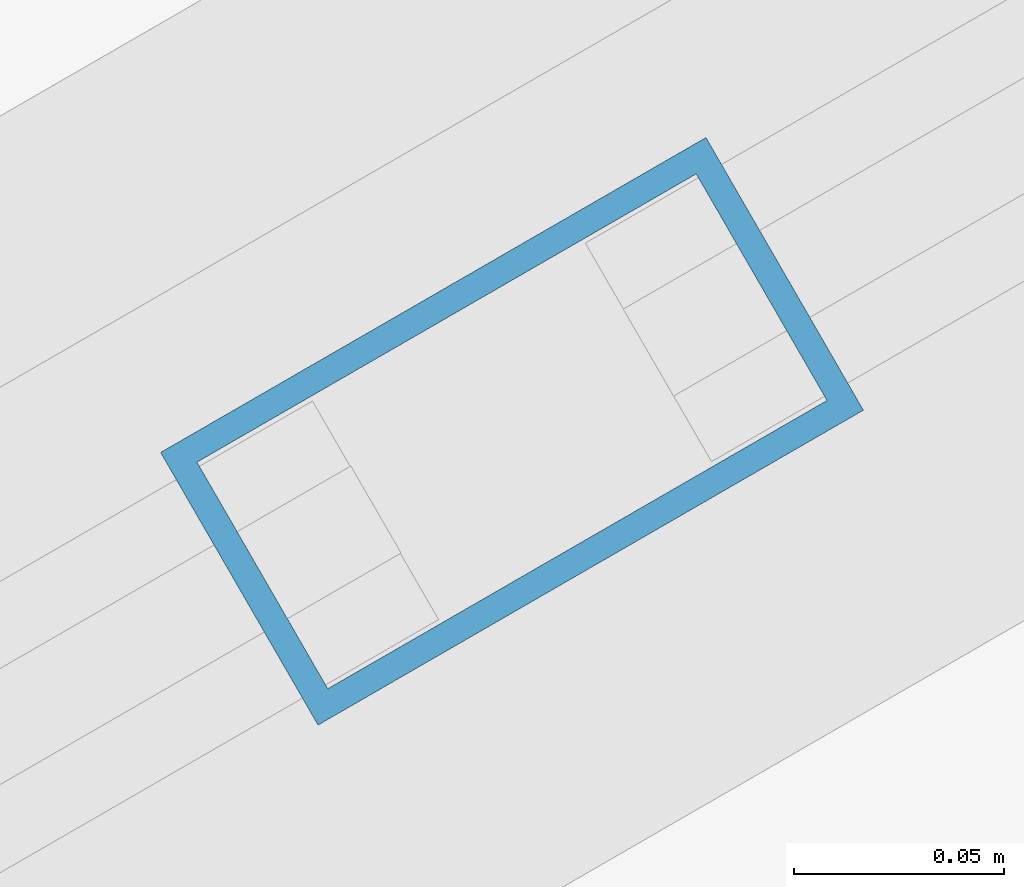
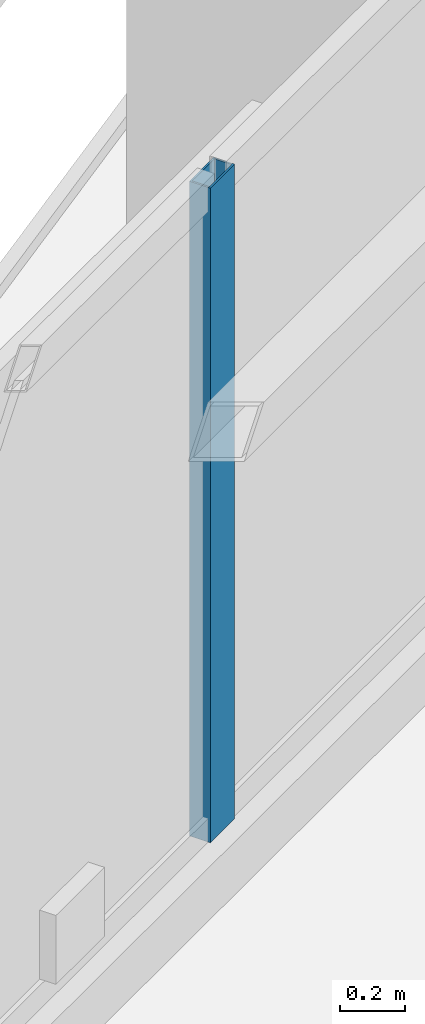
# One storey, part 11 of 22: 1 member, 1 element without a shape of its own.
"""IFC4 building model written with IfcOpenShell, lengths in metres."""

from ifc_helpers import new_model, si_unit, direction, frame, origin, origin_2d, place, context, subcontext, project, spatial, hollow_rectangle, extrude, material, layer, layer_set, material_profile, profile_set, type_object, element, aggregate, save


model = new_model("IFC4")

# Units and contexts
model_context = context("Model", 3, precision=1e-05, world=origin(), true_north=direction((0.0, 1.0)))
body_context = subcontext(model_context, "Body", "Model", "MODEL_VIEW")
ifc_project = project(units=[si_unit("LENGTHUNIT", "METRE"), si_unit("AREAUNIT", "SQUARE_METRE"), si_unit("VOLUMEUNIT", "CUBIC_METRE"), si_unit("PLANEANGLEUNIT", "RADIAN"), si_unit("MASSUNIT", "GRAM", prefix="KILO")], contexts=[model_context])

# Site, building, storey
site_placement = place(None, origin())
site = spatial("IfcSite", under=ifc_project, at=site_placement, CompositionType="ELEMENT")
building_placement = place(site_placement, origin())
building = spatial("IfcBuilding", under=site, at=building_placement, Name="Mersakhor Tower and Convention Hall", CompositionType="ELEMENT")
storey_placement = place(building_placement, frame((0.0, 0.0, 86.699951171875)))
storey = spatial("IfcBuildingStorey", under=building, at=storey_placement, Name="L23", CompositionType="ELEMENT", Elevation=86.699951171875)

# Curtain wall, member
ifc_material_1 = material(Name="Dark solar low-E aluminium curtain wall", Category="aluminium")
ifc_layer = layer(ifc_material_1, 0.159912109375)
ifc_layer_set = layer_set([ifc_layer], Name="Dark solar low-E aluminium curtain wall")
curtain_wall_type = type_object("IfcCurtainWallType", Name="CW-SYS-01", PredefinedType="USERDEFINED", material=ifc_layer_set)
curtain_wall_placement = place(storey_placement, origin())
curtain_wall = element("IfcCurtainWall", 1, at=curtain_wall_placement, inside=storey, type_object=curtain_wall_type, Name="L23 Dark-Glass Curtain Wall F1-B2", ObjectType="CURTAIN WALL", PredefinedType="USERDEFINED")
ifc_material_2 = material(Name="Anodised aluminium EN AW-6063 T6", Category="aluminium")
ifc_material_profile = material_profile(ifc_material_2, hollow_rectangle(XDim=0.074951171875, YDim=0.14990234375, WallThickness=0.00634765625, at=origin_2d()), Name="RHS 150x75x6.3")
ifc_profile_set = profile_set([ifc_material_profile], Name="Anodised aluminium EN AW-6063 T6")
member_type = type_object("IfcMemberType", Name="CWM-150x75", PredefinedType="MULLION", material=ifc_profile_set)
member_placement = place(storey_placement, frame((20.36181640625, 37.968505859375, 0.199951171875), z_axis=(0.0, 0.0, 1.0), x_axis=(-0.499997904985, 0.866026613339, 0.0)))
member = element("IfcMember", 2, at=member_placement, type_object=member_type, Name="CW-01 mullion 2", PredefinedType="MULLION", context=body_context, shape_type="SweptSolid", body=[
    extrude(hollow_rectangle(XDim=0.074951171875, YDim=0.14990234375, WallThickness=0.00634765625, at=origin_2d()), origin(), (0.0, 0.0, 1.0), 2.47021484375),
])
aggregate(curtain_wall, [member])

save(model, "model.ifc")
